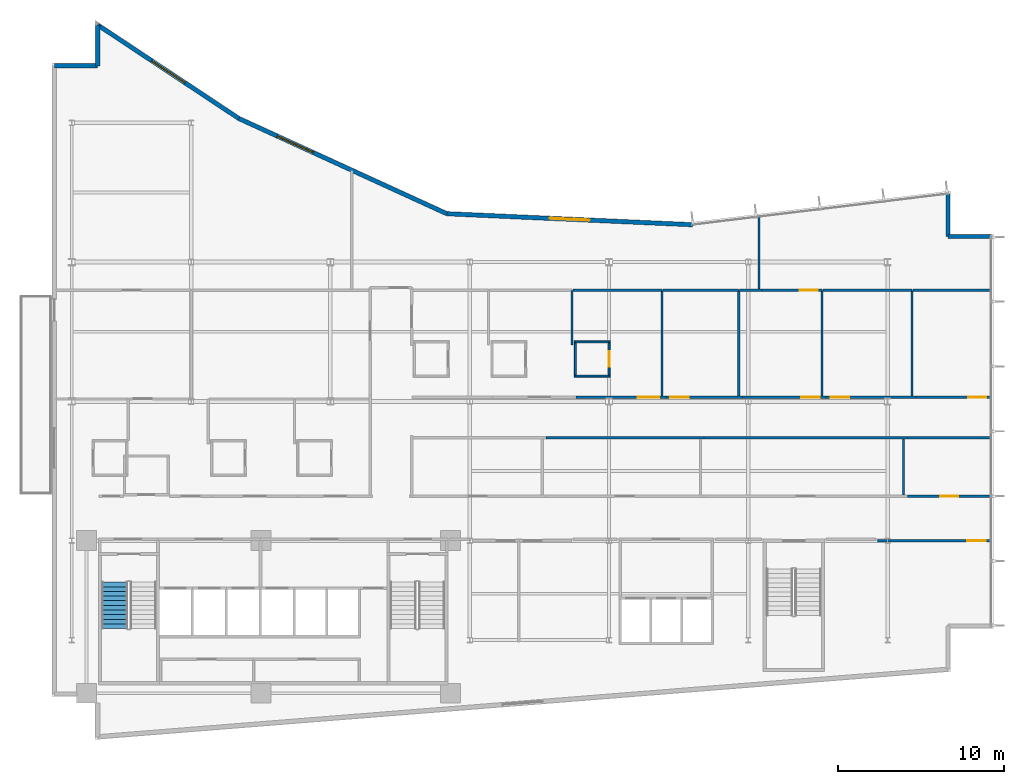
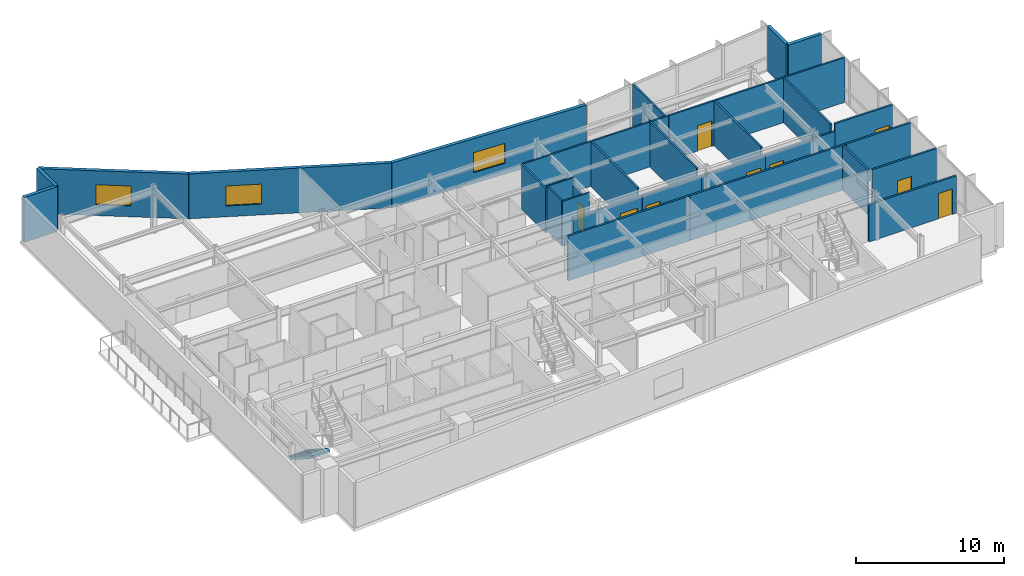
# One storey, part 13 of 18: 34 walls, 9 doors, 3 windows, 1 stair flight, 12 openings, 1 element without a shape of its own.
"""IFC4 building model written with IfcOpenShell, lengths in metres."""

from ifc_helpers import new_model, si_unit, direction, frame, frame_2d, origin, place, context, subcontext, project, spatial, polyline, rectangle, outline, extrude, material, layer, layer_set, type_object, element, fill, aggregate, save


model = new_model("IFC4")

# Units and contexts
model_context = context("Model", 3, precision=1e-05, world=origin(), true_north=direction((0.0, 1.0)))
body_context = subcontext(model_context, "Body", "Model", "MODEL_VIEW")
ifc_project = project(units=[si_unit("LENGTHUNIT", "METRE"), si_unit("AREAUNIT", "SQUARE_METRE"), si_unit("VOLUMEUNIT", "CUBIC_METRE"), si_unit("PLANEANGLEUNIT", "RADIAN"), si_unit("MASSUNIT", "GRAM", prefix="KILO")], contexts=[model_context])

# Site, building, storey
site_placement = place(None, origin())
site = spatial("IfcSite", under=ifc_project, at=site_placement, CompositionType="ELEMENT")
building_placement = place(site_placement, origin())
building = spatial("IfcBuilding", under=site, at=building_placement, Name="Varnakote Quay Hospital", CompositionType="ELEMENT")
storey_placement = place(building_placement, frame((0.0, 0.0, 123.10009765625)))
storey = spatial("IfcBuildingStorey", under=building, at=storey_placement, Name="L30", CompositionType="ELEMENT", Elevation=123.10009765625)

# Walls
ifc_material_1 = material(Name="Moisture-resistant bathroom partition", Category="gypsum")
ifc_layer_1 = layer(ifc_material_1, 0.114990234375)
ifc_layer_set_1 = layer_set([ifc_layer_1], Name="Moisture-resistant bathroom partition")
wall_type_1 = type_object("IfcWallType", Name="WL-ENS-115", PredefinedType="PARTITIONING", material=ifc_layer_set_1)
for number, where, z_axis, x_axis, name in (
    (1, (31.514892578125, 21.922607421875, 0.0), (0.0, 0.0, 1.0), (1.0, 0.0, 0.0), "L30 Inpatient En-Suite Bathroom 06 S Wall"),
    (2, (31.514892578125, 23.987548828125, 0.0), (0.0, 0.0, 1.0), (1.0, 0.0, 0.0), "L30 Inpatient En-Suite Bathroom 06 N Wall"),
):
    element("IfcWall", number, at=place(storey_placement, frame(where, z_axis=z_axis, x_axis=x_axis)), inside=storey, type_object=wall_type_1, Name=name, PredefinedType="PARTITIONING", context=body_context, shape_type="SweptSolid", body=[
        extrude(rectangle(XDim=2.150146484375, YDim=0.114990234375, at=frame_2d((1.0751953125, 0.0))), origin(), (0.0, 0.0, 1.0), 3.7099609375),
    ])
wall_1_placement = place(storey_placement, frame((31.572509765625, 21.97998046875, 0.0), z_axis=(0.0, 0.0, 1.0), x_axis=(0.0, 1.0, 0.0)))
element("IfcWall", 3, at=wall_1_placement, inside=storey, type_object=wall_type_1, Name="L30 Inpatient En-Suite Bathroom 06 W Wall", PredefinedType="PARTITIONING", context=body_context, shape_type="SweptSolid", body=[
    extrude(rectangle(XDim=1.949951171875, YDim=0.114990234375, at=frame_2d((0.97509765625, 0.0))), origin(), (0.0, 0.0, 1.0), 3.7099609375),
])

# Wall, opening, door
wall_2_placement = place(storey_placement, frame((33.607421875, 21.97998046875, 0.0), z_axis=(0.0, 0.0, 1.0), x_axis=(0.0, 1.0, 0.0)))
wall_2 = element("IfcWall", 4, at=wall_2_placement, inside=storey, type_object=wall_type_1, Name="L30 Inpatient En-Suite Bathroom 06 E Wall", PredefinedType="PARTITIONING", context=body_context, shape_type="SweptSolid", body=[
    extrude(rectangle(XDim=1.949951171875, YDim=0.114990234375, at=frame_2d((0.97509765625, 0.0))), origin(), (0.0, 0.0, 1.0), 3.15185546875),
])
opening_1_placement = place(wall_2_placement, frame((0.514892578125, 0.0, 0.0)))
opening_1 = element("IfcOpeningElement", 5, at=opening_1_placement, cuts=wall_2, Name="Opening D-L30-ENS06", PredefinedType="OPENING", context=body_context, shape_type="SweptSolid", body=[
    extrude(rectangle(XDim=0.919921875, YDim=2.10009765625, at=frame_2d((0.4599609375, 1.050048828125))), frame((0.0, 0.0673828125, 0.0), z_axis=(0.0, -1.0, 0.0), x_axis=(1.0, 0.0, 0.0)), (0.0, 0.0, 1.0), 0.135009765625),
])
ifc_material_2 = material(Name="Moisture-sealed en-suite bathroom door")
door_type_1 = type_object("IfcDoorType", Name="DR-ENS-920x2100", OperationType="NOTDEFINED", PredefinedType="DOOR", material=ifc_material_2)
door_1_placement = place(opening_1_placement, origin())
door_1 = element("IfcDoor", 6, at=door_1_placement, inside=storey, type_object=door_type_1, Name="L30 Inpatient En-Suite Bathroom 06 Door", OperationType="SINGLE_SWING_LEFT", OverallHeight=2.10009765625, OverallWidth=0.919921875, PredefinedType="DOOR", context=body_context, shape_type="SweptSolid", body=[
    extrude(rectangle(XDim=0.919921875, YDim=2.10009765625, at=frame_2d((0.4599609375, 1.050048828125))), frame((0.0, 0.02490234375, 0.0), z_axis=(0.0, -1.0, 0.0), x_axis=(1.0, 0.0, 0.0)), (0.0, 0.0, 1.0), 0.050048828125),
])
fill(opening_1, door_1)

# Walls
ifc_material_3 = material(Name="Precast concrete N50 (f'c 50 MPa)", Category="concrete")
ifc_layer_2 = layer(ifc_material_3, 0.260009765625)
ifc_layer_set_2 = layer_set([ifc_layer_2], Name="Precast concrete N50 (f'c 50 MPa)")
wall_type_2 = type_object("IfcWallType", Name="WL-EXT-BRICK-260", PredefinedType="STANDARD", material=ifc_layer_set_2)
wall_3_placement = place(storey_placement, frame((56.639892578125, 30.340087890625, 0.0), z_axis=(0.0, 0.0, 1.0), x_axis=(-1.0, 0.0, 0.0)))
element("IfcWall", 7, at=wall_3_placement, inside=storey, type_object=wall_type_2, Name="L30 Brick-Faced Precast Exterior Wall", PredefinedType="STANDARD", context=body_context, shape_type="SweptSolid", body=[
    extrude(rectangle(XDim=2.599853515625, YDim=0.260009765625, at=frame_2d((1.2998046875, 0.0))), origin(), (0.0, 0.0, 1.0), 3.7099609375),
])
wall_4_placement = place(storey_placement, frame((54.0400390625, 30.340087890625, 0.0), z_axis=(0.0, 0.0, 1.0), x_axis=(0.0, 1.0, 0.0)))
element("IfcWall", 8, at=wall_4_placement, inside=storey, type_object=wall_type_2, Name="L30 Brick-Faced Precast Exterior Wall", PredefinedType="STANDARD", context=body_context, shape_type="SweptSolid", body=[
    extrude(rectangle(XDim=2.579345703125, YDim=0.260009765625, at=frame_2d((1.28955078125, 0.0))), origin(), (0.0, 0.0, 1.0), 3.7099609375),
])

# Wall, opening, window
wall_5_placement = place(storey_placement, frame((38.630126953125, 31.051513671875, 0.0), z_axis=(0.0, 0.0, 1.0), x_axis=(-0.998996592956, 0.044786239663, 0.0)))
wall_5 = element("IfcWall", 9, at=wall_5_placement, inside=storey, type_object=wall_type_2, Name="L30 Brick-Faced Precast Exterior Wall", PredefinedType="STANDARD", context=body_context, shape_type="SweptSolid", body=[
    extrude(rectangle(XDim=14.827392578125, YDim=0.260009765625, at=frame_2d((7.41357421875, 0.0))), origin(), (0.0, 0.0, 1.0), 3.7099609375),
])
opening_2_placement = place(wall_5_placement, frame((6.213623046875, 0.0, 0.89990234375)))
opening_2 = element("IfcOpeningElement", 10, at=opening_2_placement, cuts=wall_5, Name="Opening WN-0131", PredefinedType="OPENING", context=body_context, shape_type="SweptSolid", body=[
    extrude(rectangle(XDim=2.39990234375, YDim=1.64990234375, at=frame_2d((1.199951171875, 0.824951171875))), frame((0.0, 0.139892578125, 0.0), z_axis=(0.0, -1.0, 0.0), x_axis=(1.0, 0.0, 0.0)), (0.0, 0.0, 1.0), 0.280029296875),
])
ifc_material_4 = material(Name="Double-glazed low-E solar glass", Category="glass")
window_type = type_object("IfcWindowType", Name="WIN-CLIN-2400x1650", PartitioningType="SINGLE_PANEL", PredefinedType="WINDOW", material=ifc_material_4)
window_1_placement = place(opening_2_placement, origin())
window_1 = element("IfcWindow", 11, at=window_1_placement, inside=storey, type_object=window_type, Name="L30 Solar-Control Clinical Window", OverallHeight=1.64990234375, OverallWidth=2.39990234375, PartitioningType="SINGLE_PANEL", PredefinedType="WINDOW", context=body_context, shape_type="SweptSolid", body=[
    extrude(rectangle(XDim=2.39990234375, YDim=1.64990234375, at=frame_2d((1.199951171875, 0.824951171875))), frame((0.0, 0.030029296875, 0.0), z_axis=(0.0, -1.0, 0.0), x_axis=(1.0, 0.0, 0.0)), (0.0, 0.0, 1.0), 0.06005859375),
])
fill(opening_2, window_1)

wall_6_placement = place(storey_placement, frame((23.817626953125, 31.715576171875, 0.0), z_axis=(0.0, 0.0, 1.0), x_axis=(-0.909209527513, 0.416338846471, 0.0)))
wall_6 = element("IfcWall", 12, at=wall_6_placement, inside=storey, type_object=wall_type_2, Name="L30 Brick-Faced Precast Exterior Wall", PredefinedType="STANDARD", context=body_context, shape_type="SweptSolid", body=[
    extrude(rectangle(XDim=13.787353515625, YDim=0.260009765625, at=frame_2d((6.8935546875, 0.0))), origin(), (0.0, 0.0, 1.0), 3.7099609375),
])
opening_3_placement = place(wall_6_placement, frame((8.853515625, 0.0, 0.89990234375)))
opening_3 = element("IfcOpeningElement", 13, at=opening_3_placement, cuts=wall_6, Name="Opening WN-0132", PredefinedType="OPENING", context=body_context, shape_type="SweptSolid", body=[
    extrude(rectangle(XDim=2.39990234375, YDim=1.64990234375, at=frame_2d((1.199951171875, 0.824951171875))), frame((0.0, 0.139892578125, 0.0), z_axis=(0.0, -1.0, 0.0), x_axis=(1.0, 0.0, 0.0)), (0.0, 0.0, 1.0), 0.280029296875),
])
window_2_placement = place(opening_3_placement, origin())
window_2 = element("IfcWindow", 14, at=window_2_placement, inside=storey, type_object=window_type, Name="L30 Solar-Control Clinical Window", OverallHeight=1.64990234375, OverallWidth=2.39990234375, PartitioningType="SINGLE_PANEL", PredefinedType="WINDOW", context=body_context, shape_type="SweptSolid", body=[
    extrude(rectangle(XDim=2.39990234375, YDim=1.64990234375, at=frame_2d((1.199951171875, 0.824951171875))), frame((0.0, 0.030029296875, 0.0), z_axis=(0.0, -1.0, 0.0), x_axis=(1.0, 0.0, 0.0)), (0.0, 0.0, 1.0), 0.06005859375),
])
fill(opening_3, window_2)

wall_7_placement = place(storey_placement, frame((11.281982421875, 37.455810546875, 0.0), z_axis=(0.0, 0.0, 1.0), x_axis=(-0.833630474253, 0.552322580017, 0.0)))
wall_7 = element("IfcWall", 15, at=wall_7_placement, inside=storey, type_object=wall_type_2, Name="L30 Brick-Faced Precast Exterior Wall", PredefinedType="STANDARD", context=body_context, shape_type="SweptSolid", body=[
    extrude(rectangle(XDim=10.22265625, YDim=0.260009765625, at=frame_2d((5.111328125, 0.0))), origin(), (0.0, 0.0, 1.0), 3.7099609375),
])
opening_4_placement = place(wall_7_placement, frame((3.911376953125, 0.0, 0.89990234375)))
opening_4 = element("IfcOpeningElement", 16, at=opening_4_placement, cuts=wall_7, Name="Opening WN-0133", PredefinedType="OPENING", context=body_context, shape_type="SweptSolid", body=[
    extrude(rectangle(XDim=2.39990234375, YDim=1.64990234375, at=frame_2d((1.199951171875, 0.824951171875))), frame((0.0, 0.139892578125, 0.0), z_axis=(0.0, -1.0, 0.0), x_axis=(1.0, 0.0, 0.0)), (0.0, 0.0, 1.0), 0.280029296875),
])
window_3_placement = place(opening_4_placement, origin())
window_3 = element("IfcWindow", 17, at=window_3_placement, inside=storey, type_object=window_type, Name="L30 Solar-Control Clinical Window", OverallHeight=1.64990234375, OverallWidth=2.39990234375, PartitioningType="SINGLE_PANEL", PredefinedType="WINDOW", context=body_context, shape_type="SweptSolid", body=[
    extrude(rectangle(XDim=2.39990234375, YDim=1.64990234375, at=frame_2d((1.199951171875, 0.824951171875))), frame((0.0, 0.030029296875, 0.0), z_axis=(0.0, -1.0, 0.0), x_axis=(1.0, 0.0, 0.0)), (0.0, 0.0, 1.0), 0.06005859375),
])
fill(opening_4, window_3)

# Walls
wall_8_placement = place(storey_placement, frame((2.760009765625, 43.10205078125, 0.0), z_axis=(0.0, 0.0, 1.0), x_axis=(0.0, -1.0, 0.0)))
element("IfcWall", 18, at=wall_8_placement, inside=storey, type_object=wall_type_2, Name="L30 Brick-Faced Precast Exterior Wall", PredefinedType="STANDARD", context=body_context, shape_type="SweptSolid", body=[
    extrude(rectangle(XDim=2.462158203125, YDim=0.260009765625, at=frame_2d((1.23095703125, 0.0))), origin(), (0.0, 0.0, 1.0), 3.7099609375),
])
wall_9_placement = place(storey_placement, frame((2.760009765625, 40.639892578125, 0.0), z_axis=(0.0, 0.0, 1.0), x_axis=(-1.0, 0.0, 0.0)))
element("IfcWall", 19, at=wall_9_placement, inside=storey, type_object=wall_type_2, Name="L30 Brick-Faced Precast Exterior Wall", PredefinedType="STANDARD", context=body_context, shape_type="SweptSolid", body=[
    extrude(rectangle(XDim=2.60009765625, YDim=0.260009765625, at=frame_2d((1.300048828125, 0.0))), origin(), (0.0, 0.0, 1.0), 3.7099609375),
])
ifc_material_5 = material(Name="Smoke-proof clinical partition", Category="gypsum")
ifc_layer_3 = layer(ifc_material_5, 0.135009765625)
ifc_layer_set_3 = layer_set([ifc_layer_3], Name="Smoke-proof clinical partition")
wall_type_3 = type_object("IfcWallType", Name="WL-SMOKE-135", PredefinedType="PARTITIONING", material=ifc_layer_set_3)
wall_10_placement = place(storey_placement, frame((51.360107421875, 14.760009765625, 0.0), z_axis=(0.0, 0.0, 1.0), x_axis=(0.0, 1.0, 0.0)))
element("IfcWall", 20, at=wall_10_placement, inside=storey, type_object=wall_type_3, Name="L30 Clinical Interior Partition", PredefinedType="PARTITIONING", context=body_context, shape_type="SweptSolid", body=[
    extrude(rectangle(XDim=3.360107421875, YDim=0.135009765625, at=frame_2d((1.68017578125, 0.0))), origin(), (0.0, 0.0, 1.0), 3.7099609375),
])
wall_11_placement = place(storey_placement, frame((31.3701171875, 23.802490234375, 0.0), z_axis=(0.0, 0.0, 1.0), x_axis=(0.0, 1.0, 0.0)))
element("IfcWall", 21, at=wall_11_placement, inside=storey, type_object=wall_type_3, Name="L30 Clinical Interior Partition", PredefinedType="PARTITIONING", context=body_context, shape_type="SweptSolid", body=[
    extrude(rectangle(XDim=3.297607421875, YDim=0.135009765625, at=frame_2d((1.64892578125, 0.0))), origin(), (0.0, 0.0, 1.0), 3.7099609375),
])
wall_12_placement = place(storey_placement, frame((36.800048828125, 20.715087890625, 0.0), z_axis=(0.0, 0.0, 1.0), x_axis=(0.0, 1.0, 0.0)))
element("IfcWall", 22, at=wall_12_placement, inside=storey, type_object=wall_type_3, Name="L30 Clinical Interior Partition", PredefinedType="PARTITIONING", context=body_context, shape_type="SweptSolid", body=[
    extrude(rectangle(XDim=6.385009765625, YDim=0.135009765625, at=frame_2d((3.1923828125, 0.0))), origin(), (0.0, 0.0, 1.0), 3.7099609375),
])
wall_13_placement = place(storey_placement, frame((36.800048828125, 27.10009765625, 0.0), z_axis=(0.0, 0.0, 1.0), x_axis=(-1.0, 0.0, 0.0)))
element("IfcWall", 23, at=wall_13_placement, inside=storey, type_object=wall_type_3, Name="L30 Clinical Interior Partition", PredefinedType="PARTITIONING", context=body_context, shape_type="SweptSolid", body=[
    extrude(rectangle(XDim=5.37255859375, YDim=0.135009765625, at=frame_2d((2.686279296875, 0.0))), origin(), (0.0, 0.0, 1.0), 3.7099609375),
])
wall_14_placement = place(storey_placement, frame((41.419921875, 20.715087890625, 0.0), z_axis=(0.0, 0.0, 1.0), x_axis=(0.0, 1.0, 0.0)))
element("IfcWall", 24, at=wall_14_placement, inside=storey, type_object=wall_type_3, Name="L30 Clinical Interior Partition", PredefinedType="PARTITIONING", context=body_context, shape_type="SweptSolid", body=[
    extrude(rectangle(XDim=6.385009765625, YDim=0.135009765625, at=frame_2d((3.1923828125, 0.0))), origin(), (0.0, 0.0, 1.0), 3.7099609375),
])
wall_15_placement = place(storey_placement, frame((41.419921875, 27.10009765625, 0.0), z_axis=(0.0, 0.0, 1.0), x_axis=(-1.0, 0.0, 0.0)))
element("IfcWall", 25, at=wall_15_placement, inside=storey, type_object=wall_type_3, Name="L30 Clinical Interior Partition", PredefinedType="PARTITIONING", context=body_context, shape_type="SweptSolid", body=[
    extrude(rectangle(XDim=4.5625, YDim=0.135009765625, at=frame_2d((2.28125, 0.0))), origin(), (0.0, 0.0, 1.0), 3.7099609375),
])
wall_16_placement = place(storey_placement, frame((46.449951171875, 20.715087890625, 0.0), z_axis=(0.0, 0.0, 1.0), x_axis=(0.0, 1.0, 0.0)))
element("IfcWall", 26, at=wall_16_placement, inside=storey, type_object=wall_type_3, Name="L30 Clinical Interior Partition", PredefinedType="PARTITIONING", context=body_context, shape_type="SweptSolid", body=[
    extrude(rectangle(XDim=6.385009765625, YDim=0.135009765625, at=frame_2d((3.1923828125, 0.0))), origin(), (0.0, 0.0, 1.0), 3.7099609375),
])
wall_17_placement = place(storey_placement, frame((42.82861328125, 27.10009765625, 0.0), z_axis=(0.0, 0.0, 1.0), x_axis=(-1.0, 0.0, 0.0)))
element("IfcWall", 27, at=wall_17_placement, inside=storey, type_object=wall_type_3, Name="L30 Clinical Interior Partition", PredefinedType="PARTITIONING", context=body_context, shape_type="SweptSolid", body=[
    extrude(rectangle(XDim=1.35107421875, YDim=0.135009765625, at=frame_2d((0.675537109375, 0.0))), origin(), (0.0, 0.0, 1.0), 3.7099609375),
])

# Wall, opening, door
wall_18_placement = place(storey_placement, frame((46.449951171875, 27.10009765625, 0.0), z_axis=(0.0, 0.0, 1.0), x_axis=(-1.0, 0.0, 0.0)))
wall_18 = element("IfcWall", 28, at=wall_18_placement, inside=storey, type_object=wall_type_3, Name="L30 Clinical Interior Partition", PredefinedType="PARTITIONING", context=body_context, shape_type="SweptSolid", body=[
    extrude(rectangle(XDim=3.619384765625, YDim=0.135009765625, at=frame_2d((1.8095703125, 0.0))), origin(), (0.0, 0.0, 1.0), 3.7099609375),
])
opening_5_placement = place(wall_18_placement, frame((0.2529296875, 0.0, 0.0)))
opening_5 = element("IfcOpeningElement", 29, at=opening_5_placement, cuts=wall_18, Name="Opening D-L30-MD13", PredefinedType="OPENING", context=body_context, shape_type="SweptSolid", body=[
    extrude(rectangle(XDim=1.10009765625, YDim=2.10009765625, at=frame_2d((0.550048828125, 1.050048828125))), frame((0.0, 0.077392578125, 0.0), z_axis=(0.0, -1.0, 0.0), x_axis=(1.0, 0.0, 0.0)), (0.0, 0.0, 1.0), 0.155029296875),
])
ifc_material_6 = material(Name="Acoustic timber clinical consult door", Category="wood")
door_type_2 = type_object("IfcDoorType", Name="DR-CLIN-FD30S-1100x2100", OperationType="NOTDEFINED", PredefinedType="DOOR", material=ifc_material_6)
door_2_placement = place(opening_5_placement, origin())
door_2 = element("IfcDoor", 30, at=door_2_placement, inside=storey, type_object=door_type_2, Name="L30 Ward Nurse Station Office Door", OperationType="SINGLE_SWING_RIGHT", OverallHeight=2.10009765625, OverallWidth=1.10009765625, PredefinedType="DOOR", context=body_context, shape_type="SweptSolid", body=[
    extrude(rectangle(XDim=1.10009765625, YDim=2.10009765625, at=frame_2d((0.550048828125, 1.050048828125))), frame((0.0, 0.02490234375, 0.0), z_axis=(0.0, -1.0, 0.0), x_axis=(1.0, 0.0, 0.0)), (0.0, 0.0, 1.0), 0.050048828125),
])
fill(opening_5, door_2)

# Walls
wall_19_placement = place(storey_placement, frame((51.8798828125, 20.715087890625, 0.0), z_axis=(0.0, 0.0, 1.0), x_axis=(0.0, 1.0, 0.0)))
element("IfcWall", 31, at=wall_19_placement, inside=storey, type_object=wall_type_3, Name="L30 Clinical Interior Partition", PredefinedType="PARTITIONING", context=body_context, shape_type="SweptSolid", body=[
    extrude(rectangle(XDim=6.385009765625, YDim=0.135009765625, at=frame_2d((3.1923828125, 0.0))), origin(), (0.0, 0.0, 1.0), 3.7099609375),
])
wall_20_placement = place(storey_placement, frame((51.8798828125, 27.10009765625, 0.0), z_axis=(0.0, 0.0, 1.0), x_axis=(-1.0, 0.0, 0.0)))
element("IfcWall", 32, at=wall_20_placement, inside=storey, type_object=wall_type_3, Name="L30 Clinical Interior Partition", PredefinedType="PARTITIONING", context=body_context, shape_type="SweptSolid", body=[
    extrude(rectangle(XDim=5.372314453125, YDim=0.135009765625, at=frame_2d((2.68603515625, 0.0))), origin(), (0.0, 0.0, 1.0), 3.7099609375),
])
wall_21_placement = place(storey_placement, frame((56.639892578125, 27.10009765625, 0.0), z_axis=(0.0, 0.0, 1.0), x_axis=(-1.0, 0.0, 0.0)))
element("IfcWall", 33, at=wall_21_placement, inside=storey, type_object=wall_type_3, Name="L30 Clinical Interior Partition", PredefinedType="PARTITIONING", context=body_context, shape_type="SweptSolid", body=[
    extrude(rectangle(XDim=4.702392578125, YDim=0.135009765625, at=frame_2d((2.35107421875, 0.0))), origin(), (0.0, 0.0, 1.0), 3.7099609375),
])
wall_22_placement = place(storey_placement, frame((42.64990234375, 27.157470703125, 0.0), z_axis=(0.0, 0.0, 1.0), x_axis=(0.0, 1.0, 0.0)))
element("IfcWall", 34, at=wall_22_placement, inside=storey, type_object=wall_type_3, Name="L30 Clinical Interior Partition", PredefinedType="PARTITIONING", context=body_context, shape_type="SweptSolid", body=[
    extrude(rectangle(XDim=4.38134765625, YDim=0.135009765625, at=frame_2d((2.190673828125, 0.0))), origin(), (0.0, 0.0, 1.0), 3.7099609375),
])

# Wall, opening, door
ifc_material_7 = material(Name="Fire-rated clinical gypsum partition", Category="gypsum")
ifc_layer_4 = layer(ifc_material_7, 0.14990234375)
ifc_layer_set_4 = layer_set([ifc_layer_4], Name="Fire-rated clinical gypsum partition")
wall_type_4 = type_object("IfcWallType", Name="WL-WARD-150", PredefinedType="PARTITIONING", material=ifc_layer_set_4)
wall_23_placement = place(storey_placement, frame((56.639892578125, 12.0, 0.0), z_axis=(0.0, 0.0, 1.0), x_axis=(-1.0, 0.0, 0.0)))
wall_23 = element("IfcWall", 35, at=wall_23_placement, inside=storey, type_object=wall_type_4, Name="L30 Clinical Interior Partition", PredefinedType="PARTITIONING", context=body_context, shape_type="SweptSolid", body=[
    extrude(rectangle(XDim=6.83984375, YDim=0.14990234375, at=frame_2d((3.419921875, 0.0))), origin(), (0.0, 0.0, 1.0), 3.0830078125),
])
opening_6_placement = place(wall_23_placement, frame((0.33349609375, 0.0, 0.0)))
opening_6 = element("IfcOpeningElement", 36, at=opening_6_placement, cuts=wall_23, Name="Opening D-L30-SE1", PredefinedType="OPENING", context=body_context, shape_type="SweptSolid", body=[
    extrude(rectangle(XDim=1.10009765625, YDim=2.10009765625, at=frame_2d((0.550048828125, 1.050048828125))), frame((0.0, 0.0849609375, 0.0), z_axis=(0.0, -1.0, 0.0), x_axis=(1.0, 0.0, 0.0)), (0.0, 0.0, 1.0), 0.169921875),
])
door_3_placement = place(opening_6_placement, origin())
door_3 = element("IfcDoor", 37, at=door_3_placement, inside=storey, type_object=door_type_2, Name="L30 Clinical Biomedical Engineering Office Door", OperationType="SINGLE_SWING_RIGHT", OverallHeight=2.10009765625, OverallWidth=1.10009765625, PredefinedType="DOOR", context=body_context, shape_type="SweptSolid", body=[
    extrude(rectangle(XDim=1.10009765625, YDim=2.10009765625, at=frame_2d((0.550048828125, 1.050048828125))), frame((0.0, 0.02490234375, 0.0), z_axis=(0.0, -1.0, 0.0), x_axis=(1.0, 0.0, 0.0)), (0.0, 0.0, 1.0), 0.050048828125),
])
fill(opening_6, door_3)

wall_24_placement = place(storey_placement, frame((56.639892578125, 14.679931640625, 0.0), z_axis=(0.0, 0.0, 1.0), x_axis=(-1.0, 0.0, 0.0)))
wall_24 = element("IfcWall", 38, at=wall_24_placement, inside=storey, type_object=wall_type_4, Name="L30 Clinical Interior Partition", PredefinedType="PARTITIONING", context=body_context, shape_type="SweptSolid", body=[
    extrude(rectangle(XDim=5.052001953125, YDim=0.14990234375, at=frame_2d((2.52587890625, 0.0))), origin(), (0.0, 0.0, 1.0), 3.7099609375),
])
opening_7_placement = place(wall_24_placement, frame((1.97607421875, 0.0, 0.0)))
opening_7 = element("IfcOpeningElement", 39, at=opening_7_placement, cuts=wall_24, Name="Opening D-L30-MD05", PredefinedType="OPENING", context=body_context, shape_type="SweptSolid", body=[
    extrude(rectangle(XDim=1.10009765625, YDim=2.10009765625, at=frame_2d((0.550048828125, 1.050048828125))), frame((0.0, 0.0849609375, 0.0), z_axis=(0.0, -1.0, 0.0), x_axis=(1.0, 0.0, 0.0)), (0.0, 0.0, 1.0), 0.169921875),
])
door_4_placement = place(opening_7_placement, origin())
door_4 = element("IfcDoor", 40, at=door_4_placement, inside=storey, type_object=door_type_2, Name="L30 Ward Nurse Station Office Door", OperationType="SINGLE_SWING_RIGHT", OverallHeight=2.10009765625, OverallWidth=1.10009765625, PredefinedType="DOOR", context=body_context, shape_type="SweptSolid", body=[
    extrude(rectangle(XDim=1.10009765625, YDim=2.10009765625, at=frame_2d((0.550048828125, 1.050048828125))), frame((0.0, 0.02490234375, 0.0), z_axis=(0.0, -1.0, 0.0), x_axis=(1.0, 0.0, 0.0)), (0.0, 0.0, 1.0), 0.050048828125),
])
fill(opening_7, door_4)

# Walls
wall_25_placement = place(storey_placement, frame((29.80810546875, 18.199951171875, 0.0), z_axis=(0.0, 0.0, 1.0), x_axis=(1.0, 0.0, 0.0)))
element("IfcWall", 41, at=wall_25_placement, inside=storey, type_object=wall_type_4, Name="L30 Clinical Interior Partition", PredefinedType="PARTITIONING", context=body_context, shape_type="SweptSolid", body=[
    extrude(rectangle(XDim=9.52783203125, YDim=0.14990234375, at=frame_2d((4.763916015625, 0.0))), origin(), (0.0, 0.0, 1.0), 3.7099609375),
])
wall_26_placement = place(storey_placement, frame((39.337890625, 18.199951171875, 0.0), z_axis=(0.0, 0.0, 1.0), x_axis=(1.0, 0.0, 0.0)))
element("IfcWall", 42, at=wall_26_placement, inside=storey, type_object=wall_type_4, Name="L30 Clinical Interior Partition", PredefinedType="PARTITIONING", context=body_context, shape_type="SweptSolid", body=[
    extrude(rectangle(XDim=12.248046875, YDim=0.14990234375, at=frame_2d((6.1240234375, 0.0))), origin(), (0.0, 0.0, 1.0), 3.7099609375),
])
wall_27_placement = place(storey_placement, frame((51.587890625, 18.199951171875, 0.0), z_axis=(0.0, 0.0, 1.0), x_axis=(1.0, 0.0, 0.0)))
element("IfcWall", 43, at=wall_27_placement, inside=storey, type_object=wall_type_4, Name="L30 Clinical Interior Partition", PredefinedType="PARTITIONING", context=body_context, shape_type="SweptSolid", body=[
    extrude(rectangle(XDim=5.052001953125, YDim=0.14990234375, at=frame_2d((2.52587890625, 0.0))), origin(), (0.0, 0.0, 1.0), 3.7099609375),
])

# Wall, opening, door
wall_28_placement = place(storey_placement, frame((37.02587890625, 20.64990234375, 0.0), z_axis=(0.0, 0.0, 1.0), x_axis=(-1.0, 0.0, 0.0)))
wall_28 = element("IfcWall", 44, at=wall_28_placement, inside=storey, type_object=wall_type_4, Name="L30 Clinical Interior Partition", PredefinedType="PARTITIONING", context=body_context, shape_type="SweptSolid", body=[
    extrude(rectangle(XDim=5.427978515625, YDim=0.14990234375, at=frame_2d((2.7138671875, 0.0))), origin(), (0.0, 0.0, 1.0), 3.0830078125),
])
opening_8_placement = place(wall_28_placement, frame((0.386474609375, 0.0, 0.0)))
opening_8 = element("IfcOpeningElement", 45, at=opening_8_placement, cuts=wall_28, Name="Opening D-L30-BR06", PredefinedType="OPENING", context=body_context, shape_type="SweptSolid", body=[
    extrude(rectangle(XDim=1.300048828125, YDim=2.14990234375, at=frame_2d((0.64990234375, 1.074951171875))), frame((0.0, 0.0849609375, 0.0), z_axis=(0.0, -1.0, 0.0), x_axis=(1.0, 0.0, 0.0)), (0.0, 0.0, 1.0), 0.169921875),
])
ifc_material_8 = material(Name="Solid-core timber clinical bed door", Category="wood")
door_type_3 = type_object("IfcDoorType", Name="DR-WARD-FD30S-1300x2150", OperationType="NOTDEFINED", PredefinedType="DOOR", material=ifc_material_8)
door_5_placement = place(opening_8_placement, origin())
door_5 = element("IfcDoor", 46, at=door_5_placement, inside=storey, type_object=door_type_3, Name="L30 Resident Care Bedroom 06 Door", OperationType="SINGLE_SWING_LEFT", OverallHeight=2.14990234375, OverallWidth=1.300048828125, PredefinedType="DOOR", context=body_context, shape_type="SweptSolid", body=[
    extrude(rectangle(XDim=1.300048828125, YDim=2.14990234375, at=frame_2d((0.64990234375, 1.074951171875))), frame((0.0, 0.02490234375, 0.0), z_axis=(0.0, -1.0, 0.0), x_axis=(1.0, 0.0, 0.0)), (0.0, 0.0, 1.0), 0.050048828125),
])
fill(opening_8, door_5)

wall_29_placement = place(storey_placement, frame((41.64599609375, 20.64990234375, 0.0), z_axis=(0.0, 0.0, 1.0), x_axis=(-1.0, 0.0, 0.0)))
wall_29 = element("IfcWall", 47, at=wall_29_placement, inside=storey, type_object=wall_type_4, Name="L30 Clinical Interior Partition", PredefinedType="PARTITIONING", context=body_context, shape_type="SweptSolid", body=[
    extrude(rectangle(XDim=4.617919921875, YDim=0.14990234375, at=frame_2d((2.30908203125, 0.0))), origin(), (0.0, 0.0, 1.0), 3.0830078125),
])
opening_9_placement = place(wall_29_placement, frame((3.239990234375, 0.0, 0.0)))
opening_9 = element("IfcOpeningElement", 48, at=opening_9_placement, cuts=wall_29, Name="Opening D-L30-MD07", PredefinedType="OPENING", context=body_context, shape_type="SweptSolid", body=[
    extrude(rectangle(XDim=1.10009765625, YDim=2.10009765625, at=frame_2d((0.550048828125, 1.050048828125))), frame((0.0, 0.0849609375, 0.0), z_axis=(0.0, -1.0, 0.0), x_axis=(1.0, 0.0, 0.0)), (0.0, 0.0, 1.0), 0.169921875),
])
door_6_placement = place(opening_9_placement, origin())
door_6 = element("IfcDoor", 49, at=door_6_placement, inside=storey, type_object=door_type_2, Name="L30 Perinatal Clinical Consultation Suite Door", OperationType="SINGLE_SWING_RIGHT", OverallHeight=2.10009765625, OverallWidth=1.10009765625, PredefinedType="DOOR", context=body_context, shape_type="SweptSolid", body=[
    extrude(rectangle(XDim=1.10009765625, YDim=2.10009765625, at=frame_2d((0.550048828125, 1.050048828125))), frame((0.0, 0.02490234375, 0.0), z_axis=(0.0, -1.0, 0.0), x_axis=(1.0, 0.0, 0.0)), (0.0, 0.0, 1.0), 0.050048828125),
])
fill(opening_9, door_6)

wall_30_placement = place(storey_placement, frame((46.676025390625, 20.64990234375, 0.0), z_axis=(0.0, 0.0, 1.0), x_axis=(-1.0, 0.0, 0.0)))
wall_30 = element("IfcWall", 50, at=wall_30_placement, inside=storey, type_object=wall_type_4, Name="L30 Clinical Interior Partition", PredefinedType="PARTITIONING", context=body_context, shape_type="SweptSolid", body=[
    extrude(rectangle(XDim=5.028076171875, YDim=0.14990234375, at=frame_2d((2.51416015625, 0.0))), origin(), (0.0, 0.0, 1.0), 3.0830078125),
])
opening_10_placement = place(wall_30_placement, frame((0.37646484375, 0.0, 0.0)))
opening_10 = element("IfcOpeningElement", 51, at=opening_10_placement, cuts=wall_30, Name="Opening D-L30-MD08", PredefinedType="OPENING", context=body_context, shape_type="SweptSolid", body=[
    extrude(rectangle(XDim=1.10009765625, YDim=2.10009765625, at=frame_2d((0.550048828125, 1.050048828125))), frame((0.0, 0.0849609375, 0.0), z_axis=(0.0, -1.0, 0.0), x_axis=(1.0, 0.0, 0.0)), (0.0, 0.0, 1.0), 0.169921875),
])
door_7_placement = place(opening_10_placement, origin())
door_7 = element("IfcDoor", 52, at=door_7_placement, inside=storey, type_object=door_type_2, Name="L30 Ward Beverage Pantry Door", OperationType="SINGLE_SWING_LEFT", OverallHeight=2.10009765625, OverallWidth=1.10009765625, PredefinedType="DOOR", context=body_context, shape_type="SweptSolid", body=[
    extrude(rectangle(XDim=1.10009765625, YDim=2.10009765625, at=frame_2d((0.550048828125, 1.050048828125))), frame((0.0, 0.02490234375, 0.0), z_axis=(0.0, -1.0, 0.0), x_axis=(1.0, 0.0, 0.0)), (0.0, 0.0, 1.0), 0.050048828125),
])
fill(opening_10, door_7)

wall_31_placement = place(storey_placement, frame((52.10595703125, 20.64990234375, 0.0), z_axis=(0.0, 0.0, 1.0), x_axis=(-1.0, 0.0, 0.0)))
wall_31 = element("IfcWall", 53, at=wall_31_placement, inside=storey, type_object=wall_type_4, Name="L30 Clinical Interior Partition", PredefinedType="PARTITIONING", context=body_context, shape_type="SweptSolid", body=[
    extrude(rectangle(XDim=5.427978515625, YDim=0.14990234375, at=frame_2d((2.7138671875, 0.0))), origin(), (0.0, 0.0, 1.0), 3.0830078125),
])
opening_11_placement = place(wall_31_placement, frame((4.02978515625, 0.0, 0.0)))
opening_11 = element("IfcOpeningElement", 54, at=opening_11_placement, cuts=wall_31, Name="Opening D-L30-MD09", PredefinedType="OPENING", context=body_context, shape_type="SweptSolid", body=[
    extrude(rectangle(XDim=1.10009765625, YDim=2.10009765625, at=frame_2d((0.550048828125, 1.050048828125))), frame((0.0, 0.0849609375, 0.0), z_axis=(0.0, -1.0, 0.0), x_axis=(1.0, 0.0, 0.0)), (0.0, 0.0, 1.0), 0.169921875),
])
door_8_placement = place(opening_11_placement, origin())
door_8 = element("IfcDoor", 55, at=door_8_placement, inside=storey, type_object=door_type_2, Name="L30 Ward Nurse Station Office Door", OperationType="SINGLE_SWING_RIGHT", OverallHeight=2.10009765625, OverallWidth=1.10009765625, PredefinedType="DOOR", context=body_context, shape_type="SweptSolid", body=[
    extrude(rectangle(XDim=1.10009765625, YDim=2.10009765625, at=frame_2d((0.550048828125, 1.050048828125))), frame((0.0, 0.02490234375, 0.0), z_axis=(0.0, -1.0, 0.0), x_axis=(1.0, 0.0, 0.0)), (0.0, 0.0, 1.0), 0.050048828125),
])
fill(opening_11, door_8)

wall_32_placement = place(storey_placement, frame((56.639892578125, 20.64990234375, 0.0), z_axis=(0.0, 0.0, 1.0), x_axis=(-1.0, 0.0, 0.0)))
wall_32 = element("IfcWall", 56, at=wall_32_placement, inside=storey, type_object=wall_type_4, Name="L30 Clinical Interior Partition", PredefinedType="PARTITIONING", context=body_context, shape_type="SweptSolid", body=[
    extrude(rectangle(XDim=4.531982421875, YDim=0.14990234375, at=frame_2d((2.26611328125, 0.0))), origin(), (0.0, 0.0, 1.0), 3.7099609375),
])
opening_12_placement = place(wall_32_placement, frame((0.27587890625, 0.0, 0.0)))
opening_12 = element("IfcOpeningElement", 57, at=opening_12_placement, cuts=wall_32, Name="Opening D-L30-MD10", PredefinedType="OPENING", context=body_context, shape_type="SweptSolid", body=[
    extrude(rectangle(XDim=1.10009765625, YDim=2.10009765625, at=frame_2d((0.550048828125, 1.050048828125))), frame((0.0, 0.0849609375, 0.0), z_axis=(0.0, -1.0, 0.0), x_axis=(1.0, 0.0, 0.0)), (0.0, 0.0, 1.0), 0.169921875),
])
door_9_placement = place(opening_12_placement, origin())
door_9 = element("IfcDoor", 58, at=door_9_placement, inside=storey, type_object=door_type_2, Name="L30 Specialty Ward Treatment Suite Door", OperationType="SINGLE_SWING_LEFT", OverallHeight=2.10009765625, OverallWidth=1.10009765625, PredefinedType="DOOR", context=body_context, shape_type="SweptSolid", body=[
    extrude(rectangle(XDim=1.10009765625, YDim=2.10009765625, at=frame_2d((0.550048828125, 1.050048828125))), frame((0.0, 0.02490234375, 0.0), z_axis=(0.0, -1.0, 0.0), x_axis=(1.0, 0.0, 0.0)), (0.0, 0.0, 1.0), 0.050048828125),
])
fill(opening_12, door_9)

# Stair, stair flight
ifc_material_9 = material(Name="Concrete N40 (f'c 40 MPa)", Category="concrete")
stair_type = type_object("IfcStairType", Name="STR-CORE-1580", PredefinedType="HALF_TURN_STAIR", material=ifc_material_9)
stair_placement = place(storey_placement, origin())
stair = element("IfcStair", 59, at=stair_placement, inside=storey, type_object=stair_type, Name="L30 Fire-Isolated Exit Stair ST-01", PredefinedType="HALF_TURN_STAIR")
ifc_material_10 = material(Name="Concrete N40 (f'c 40 MPa)", Category="concrete")
ifc_layer_5 = layer(ifc_material_10, 0.159912109375)
ifc_layer_set_5 = layer_set([ifc_layer_5], Name="Concrete N40 (f'c 40 MPa)")
stair_flight_type = type_object("IfcStairFlightType", Name="FLT-CORE-1580", PredefinedType="STRAIGHT", material=ifc_layer_set_5)
stair_flight_placement = place(storey_placement, frame((3.7900390625, 9.5, 0.0), z_axis=(0.0, 0.0, 1.0), x_axis=(0.0, -1.0, 0.0)))
stair_flight = element("IfcStairFlight", 60, at=stair_flight_placement, type_object=stair_flight_type, Name="ST-01 flight 1", NumberOfRisers=11, NumberOfTreads=10, PredefinedType="STRAIGHT", RiserHeight=0.179545455, TreadLength=0.28, context=body_context, shape_type="SweptSolid", body=[
    extrude(outline(polyline([(0.0, 0.0), (0.0, 0.179443359375), (0.280029296875, 0.179443359375), (0.280029296875, 0.359130859375), (0.56005859375, 0.359130859375), (0.56005859375, 0.53857421875), (0.840087890625, 0.53857421875), (0.840087890625, 0.71826171875), (1.1201171875, 0.71826171875), (1.1201171875, 0.897705078125), (1.39990234375, 0.897705078125), (1.39990234375, 1.077392578125), (1.679931640625, 1.077392578125), (1.679931640625, 1.2568359375), (1.9599609375, 1.2568359375), (1.9599609375, 1.436279296875), (2.239990234375, 1.436279296875), (2.239990234375, 1.615966796875), (2.52001953125, 1.615966796875), (2.52001953125, 1.79541015625), (2.800048828125, 1.79541015625), (2.800048828125, 1.97509765625), (2.800048828125, 1.60546875), (0.296142578125, 0.0), (0.0, 0.0)])), frame((0.0, 0.7900390625, 0.0), z_axis=(0.0, -1.0, 0.0), x_axis=(1.0, 0.0, 0.0)), (0.0, 0.0, 1.0), 1.580078125),
])
aggregate(stair, [stair_flight])

save(model, "model.ifc")
